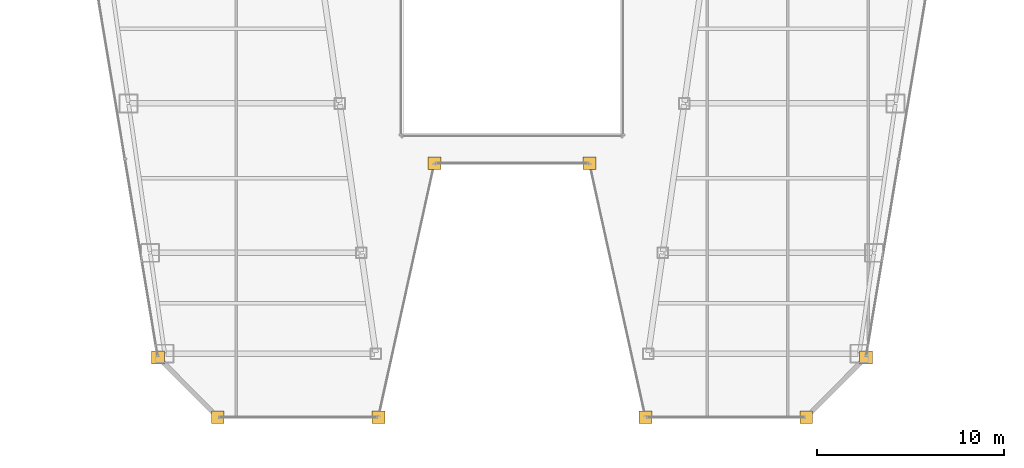
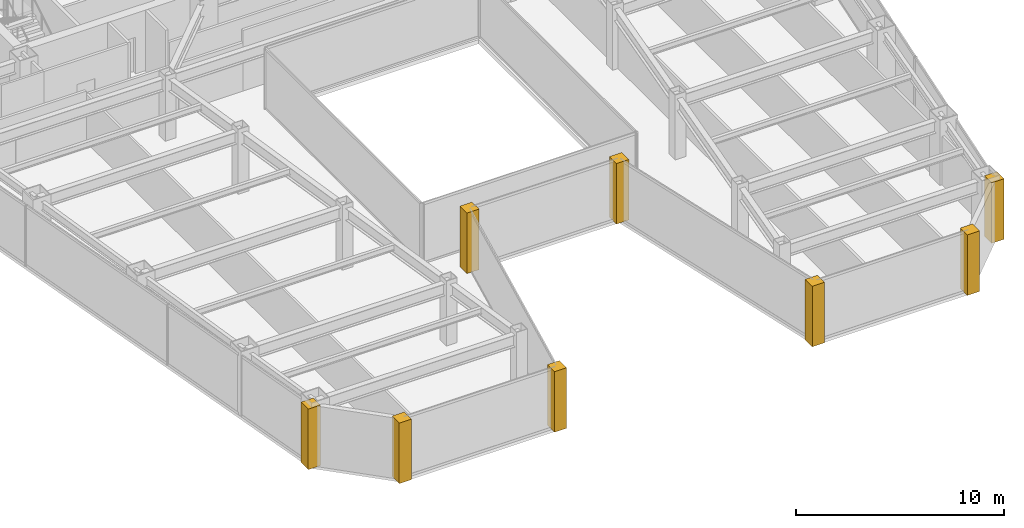
# One storey, part 35 of 37: 8 coverings.
"""IFC4 building model written with IfcOpenShell, lengths in metres."""

import ifcopenshell
import ifcopenshell.guid

model = None  # the IFC model being written
_history = None  # IfcOwnerHistory: only IFC2X3 demands one
_inside = {}  # id of a spatial element -> (the spatial element, [elements in it])
_under = {}  # id of a project, library or spatial element -> (it, [spatial elements below it])
_declared = {}  # id of a project -> (the project, [libraries it declares])
_typed = {}  # id of a type object -> (the type object, [elements of that type])
_made_of = {}  # id of a material, layer set ... -> (it, [elements and type objects made of it])


def new_model(schema):
    """Start an empty IFC model of exactly this schema.

    Asked for "IFC4X3", IfcOpenShell would pick the latest addendum, in which some entities
    have other attributes; the version numbers below select the first issue.
    IFC2X3 requires an IfcOwnerHistory on every rooted entity: one is made here for all.
    """
    global model, _history
    if schema == "IFC4X3":
        model = ifcopenshell.file(schema_version=(4, 3, 0, 0))
    else:
        model = ifcopenshell.file(schema=schema)
    _inside.clear()
    _under.clear()
    _declared.clear()
    _typed.clear()
    _made_of.clear()
    _history = None
    if model.schema == "IFC2X3":
        org = make("IfcOrganization", Name="unknown")
        user = make(
            "IfcPersonAndOrganization",
            ThePerson=make("IfcPerson", FamilyName="unknown"),
            TheOrganization=org,
        )
        app = make(
            "IfcApplication",
            ApplicationDeveloper=org,
            Version="unknown",
            ApplicationFullName="unknown",
            ApplicationIdentifier="unknown",
        )
        _history = make(
            "IfcOwnerHistory",
            OwningUser=user,
            OwningApplication=app,
            ChangeAction="ADDED",
            CreationDate=0,
        )
    return model


def make(cls, **values):
    """One entity of the class cls with the attributes given. An attribute that is None is left unset."""
    return model.create_entity(
        cls, **{name: value for name, value in values.items() if value is not None}
    )


def rooted(cls, **values):
    """An entity with a GlobalId (a new one), such as an element, a storey or a relation."""
    return make(cls, GlobalId=ifcopenshell.guid.new(), OwnerHistory=_history, **values)


def si_unit(unit_type, name, prefix=None):
    """IfcSIUnit, for example si_unit("LENGTHUNIT", "METRE", prefix="MILLI")."""
    return make("IfcSIUnit", UnitType=unit_type, Prefix=prefix, Name=name)


def assignment(units):
    """IfcUnitAssignment: the units of a project."""
    return None if units is None else make("IfcUnitAssignment", Units=units)


def point(xyz):
    """IfcCartesianPoint."""
    return None if xyz is None else make("IfcCartesianPoint", Coordinates=xyz)


def direction(xyz):
    """IfcDirection."""
    return None if xyz is None else make("IfcDirection", DirectionRatios=xyz)


def frame(location, z_axis=None, x_axis=None):
    """IfcAxis2Placement3D, a coordinate frame: its origin and axes. An axis left out is left unset."""
    return make(
        "IfcAxis2Placement3D",
        Location=point(location),
        Axis=direction(z_axis),
        RefDirection=direction(x_axis),
    )


def origin():
    """The frame at (0, 0, 0) with its axes left unset."""
    return frame((0.0, 0.0, 0.0))


def place(relative_to, where):
    """IfcLocalPlacement: puts the frame where relative to a parent placement (None: the world)."""
    return make(
        "IfcLocalPlacement", PlacementRelTo=relative_to, RelativePlacement=where
    )


def context(
    kind, dimensions, precision=None, world=None, true_north=None, identifier=None
):
    """IfcGeometricRepresentationContext, for example the 3D "Model" context."""
    return make(
        "IfcGeometricRepresentationContext",
        ContextIdentifier=identifier,
        ContextType=kind,
        CoordinateSpaceDimension=dimensions,
        Precision=precision,
        WorldCoordinateSystem=world,
        TrueNorth=true_north,
    )


def subcontext(parent, identifier, kind, view, scale=None):
    """IfcGeometricRepresentationSubContext, for example "Body" below "Model"."""
    return make(
        "IfcGeometricRepresentationSubContext",
        ContextIdentifier=identifier,
        ContextType=kind,
        ParentContext=parent,
        TargetScale=scale,
        TargetView=view,
    )


def project(units=None, contexts=None):
    """IfcProject with its units and contexts."""
    return rooted(
        "IfcProject",
        Name="project",
        RepresentationContexts=contexts,
        UnitsInContext=assignment(units),
    )


def spatial(cls, under=None, at=None, **own):
    """A site, building, storey or space (cls), placed at a placement, below another one or the project."""
    s = rooted(cls, ObjectPlacement=at, **own)
    if under is not None:
        _under.setdefault(under.id(), (under, []))[1].append(s)
    return s


def polyline(points):
    """IfcPolyline through the points."""
    return make("IfcPolyline", Points=[point(p) for p in points])


def outline(outer, holes=None, kind="AREA"):
    """IfcArbitraryClosedProfileDef: a profile drawn as a closed curve; with holes, ...WithVoids."""
    if holes is None:
        return make("IfcArbitraryClosedProfileDef", ProfileType=kind, OuterCurve=outer)
    return make(
        "IfcArbitraryProfileDefWithVoids",
        ProfileType=kind,
        OuterCurve=outer,
        InnerCurves=holes,
    )


def extrude(swept, where, along, depth):
    """IfcExtrudedAreaSolid: the profile swept, set in the frame where, extruded along a direction by depth."""
    return make(
        "IfcExtrudedAreaSolid",
        SweptArea=swept,
        Position=where,
        ExtrudedDirection=direction(along),
        Depth=depth,
    )


def shape(context_of_items, identifier, shape_type, items):
    """IfcShapeRepresentation: the items that make up one representation, for example the "Body"."""
    return make(
        "IfcShapeRepresentation",
        ContextOfItems=context_of_items,
        RepresentationIdentifier=identifier,
        RepresentationType=shape_type,
        Items=items,
    )


def material(Name=None, Category=None):
    """IfcMaterial."""
    return make("IfcMaterial", Name=Name, Category=Category)


def layer(
    of_material, thickness, ventilated=None, Name=None, Category=None, Priority=None
):
    """IfcMaterialLayer: one layer of a wall or slab, of a material (None: an air gap)."""
    return make(
        "IfcMaterialLayer",
        Material=of_material,
        LayerThickness=thickness,
        IsVentilated=ventilated,
        Name=Name,
        Category=Category,
        Priority=Priority,
    )


def layer_set(layers, Name=None):
    """IfcMaterialLayerSet."""
    return make("IfcMaterialLayerSet", MaterialLayers=layers, LayerSetName=Name)


def made_of(thing, what):
    """Note that an element or type object is made of a material, layer set ...; save() writes the relation."""
    if what is not None:
        _made_of.setdefault(what.id(), (what, []))[1].append(thing)
    return thing


def type_object(cls, material=None, **own):
    """A type object (cls), such as IfcWallType, which elements share."""
    return made_of(rooted(cls, **own), material)


def element(
    cls,
    number,
    at=None,
    inside=None,
    cuts=None,
    type_object=None,
    material=None,
    context=None,
    identifier="Body",
    shape_type=None,
    held_by="IfcProductDefinitionShape",
    body=None,
    shapes=None,
    **own,
):
    """One element of the class cls, such as IfcWall. Its Tag is "e" and its number.

    at: its placement. inside: the storey or other place that contains it. cuts: it is an
    opening in that element (IfcRelVoidsElement). A single representation is given by context,
    identifier, shape_type and body (its items); several are given by shapes. held_by: the class
    of the entity that holds the representations. save() writes the other relations.
    """
    e = rooted(cls, Tag="e%d" % number, ObjectPlacement=at, **own)
    if body is not None:
        shapes = [shape(context, identifier, shape_type, body)]
    if shapes is not None:
        e.Representation = make(held_by, Representations=shapes)
    if inside is not None:
        _inside.setdefault(inside.id(), (inside, []))[1].append(e)
    if cuts is not None:
        rooted(
            "IfcRelVoidsElement", RelatingBuildingElement=cuts, RelatedOpeningElement=e
        )
    if type_object is not None:
        _typed.setdefault(type_object.id(), (type_object, []))[1].append(e)
    return made_of(e, material)


def aggregate(whole, parts):
    """IfcRelAggregates: a whole, such as a stair, and the parts it consists of."""
    return rooted("IfcRelAggregates", RelatingObject=whole, RelatedObjects=parts)


def save(model, path):
    """Write the relations noted so far, then the file.

    IfcRelAggregates (storeys below a building ...), IfcRelContainedInSpatialStructure (elements
    in a storey), IfcRelDefinesByType, IfcRelAssociatesMaterial and IfcRelDeclares: one each for
    every whole, place, type object, material and project.
    """
    for whole, parts in _under.values():
        aggregate(whole, parts)
    for where, things in _inside.values():
        rooted(
            "IfcRelContainedInSpatialStructure",
            RelatedElements=things,
            RelatingStructure=where,
        )
    for kind, things in _typed.values():
        rooted("IfcRelDefinesByType", RelatedObjects=things, RelatingType=kind)
    for what, things in _made_of.values():
        rooted("IfcRelAssociatesMaterial", RelatedObjects=things, RelatingMaterial=what)
    for by, libraries in _declared.values():
        rooted("IfcRelDeclares", RelatingContext=by, RelatedDefinitions=libraries)
    model.write(path)


model = new_model("IFC4")

# Units and contexts
model_context = context("Model", 3, precision=1e-05, world=origin(), true_north=direction((0.0, 1.0)))
body_context = subcontext(model_context, "Body", "Model", "MODEL_VIEW")
ifc_project = project(units=[si_unit("LENGTHUNIT", "METRE"), si_unit("AREAUNIT", "SQUARE_METRE"), si_unit("VOLUMEUNIT", "CUBIC_METRE"), si_unit("PLANEANGLEUNIT", "RADIAN"), si_unit("MASSUNIT", "GRAM", prefix="KILO")], contexts=[model_context])

# Site, building, storey
site_placement = place(None, origin())
site = spatial("IfcSite", under=ifc_project, at=site_placement, CompositionType="ELEMENT")
building_placement = place(site_placement, origin())
building = spatial("IfcBuilding", under=site, at=building_placement, Name="Saevonmaru Cultural Tower", CompositionType="ELEMENT")
storey_placement = place(building_placement, frame((0.0, 0.0, 144.800048828125)))
storey = spatial("IfcBuildingStorey", under=building, at=storey_placement, Name="L31", CompositionType="ELEMENT", Elevation=144.800048828125)

# Coverings
ifc_material = material(Name="Satin Bronze Anodised Aluminium", Category="aluminium")
ifc_layer = layer(ifc_material, 0.679931640625, Name="Satin Bronze Anodised Aluminium")
ifc_layer_set = layer_set([ifc_layer], Name="Satin Bronze Anodised Aluminium")
covering_type = type_object("IfcCoveringType", Name="CV-CORNER-CLAD", PredefinedType="CLADDING", material=ifc_layer_set)
covering_1_placement = place(storey_placement, origin())
element("IfcCovering", 1, at=covering_1_placement, inside=storey, type_object=covering_type, Name="L31 Tower Bronze Corner Cladding Pier 1", PredefinedType="CLADDING", context=body_context, shape_type="SweptSolid", body=[
    extrude(outline(polyline([(10.708984375, 10.06005859375), (11.388916015625, 10.06005859375), (11.388916015625, 10.739990234375), (10.708984375, 10.739990234375), (10.708984375, 10.06005859375)])), origin(), (0.0, 0.0, 1.0), 3.550048828125),
])
covering_2_placement = place(storey_placement, origin())
element("IfcCovering", 2, at=covering_2_placement, inside=storey, type_object=covering_type, Name="L31 Tower Bronze Corner Cladding Pier 2", PredefinedType="CLADDING", context=body_context, shape_type="SweptSolid", body=[
    extrude(outline(polyline([(13.908935546875, 6.860107421875), (14.589111328125, 6.860107421875), (14.589111328125, 7.5400390625), (13.908935546875, 7.5400390625), (13.908935546875, 6.860107421875)])), origin(), (0.0, 0.0, 1.0), 3.550048828125),
])
covering_3_placement = place(storey_placement, origin())
element("IfcCovering", 3, at=covering_3_placement, inside=storey, type_object=covering_type, Name="L31 Tower Bronze Corner Cladding Pier 3", PredefinedType="CLADDING", context=body_context, shape_type="SweptSolid", body=[
    extrude(outline(polyline([(22.509033203125, 6.860107421875), (23.18896484375, 6.860107421875), (23.18896484375, 7.5400390625), (22.509033203125, 7.5400390625), (22.509033203125, 6.860107421875)])), origin(), (0.0, 0.0, 1.0), 3.550048828125),
])
covering_4_placement = place(storey_placement, origin())
element("IfcCovering", 4, at=covering_4_placement, inside=storey, type_object=covering_type, Name="L31 Tower Bronze Corner Cladding Pier 4", PredefinedType="CLADDING", context=body_context, shape_type="SweptSolid", body=[
    extrude(outline(polyline([(25.509033203125, 20.4599609375), (26.18896484375, 20.4599609375), (26.18896484375, 21.139892578125), (25.509033203125, 21.139892578125), (25.509033203125, 20.4599609375)])), origin(), (0.0, 0.0, 1.0), 3.550048828125),
])
covering_5_placement = place(storey_placement, origin())
element("IfcCovering", 5, at=covering_5_placement, inside=storey, type_object=covering_type, Name="L31 Tower Bronze Corner Cladding Pier 5", PredefinedType="CLADDING", context=body_context, shape_type="SweptSolid", body=[
    extrude(outline(polyline([(33.81103515625, 20.4599609375), (34.490966796875, 20.4599609375), (34.490966796875, 21.139892578125), (33.81103515625, 21.139892578125), (33.81103515625, 20.4599609375)])), origin(), (0.0, 0.0, 1.0), 3.550048828125),
])
covering_6_placement = place(storey_placement, origin())
element("IfcCovering", 6, at=covering_6_placement, inside=storey, type_object=covering_type, Name="L31 Tower Bronze Corner Cladding Pier 6", PredefinedType="CLADDING", context=body_context, shape_type="SweptSolid", body=[
    extrude(outline(polyline([(36.81103515625, 6.860107421875), (37.490966796875, 6.860107421875), (37.490966796875, 7.5400390625), (36.81103515625, 7.5400390625), (36.81103515625, 6.860107421875)])), origin(), (0.0, 0.0, 1.0), 3.550048828125),
])
covering_7_placement = place(storey_placement, origin())
element("IfcCovering", 7, at=covering_7_placement, inside=storey, type_object=covering_type, Name="L31 Tower Bronze Corner Cladding Pier 7", PredefinedType="CLADDING", context=body_context, shape_type="SweptSolid", body=[
    extrude(outline(polyline([(45.410888671875, 6.860107421875), (46.091064453125, 6.860107421875), (46.091064453125, 7.5400390625), (45.410888671875, 7.5400390625), (45.410888671875, 6.860107421875)])), origin(), (0.0, 0.0, 1.0), 3.550048828125),
])
covering_8_placement = place(storey_placement, origin())
element("IfcCovering", 8, at=covering_8_placement, inside=storey, type_object=covering_type, Name="L31 Tower Bronze Corner Cladding Pier 8", PredefinedType="CLADDING", context=body_context, shape_type="SweptSolid", body=[
    extrude(outline(polyline([(48.611083984375, 10.06005859375), (49.291015625, 10.06005859375), (49.291015625, 10.739990234375), (48.611083984375, 10.739990234375), (48.611083984375, 10.06005859375)])), origin(), (0.0, 0.0, 1.0), 3.550048828125),
])

save(model, "model.ifc")
